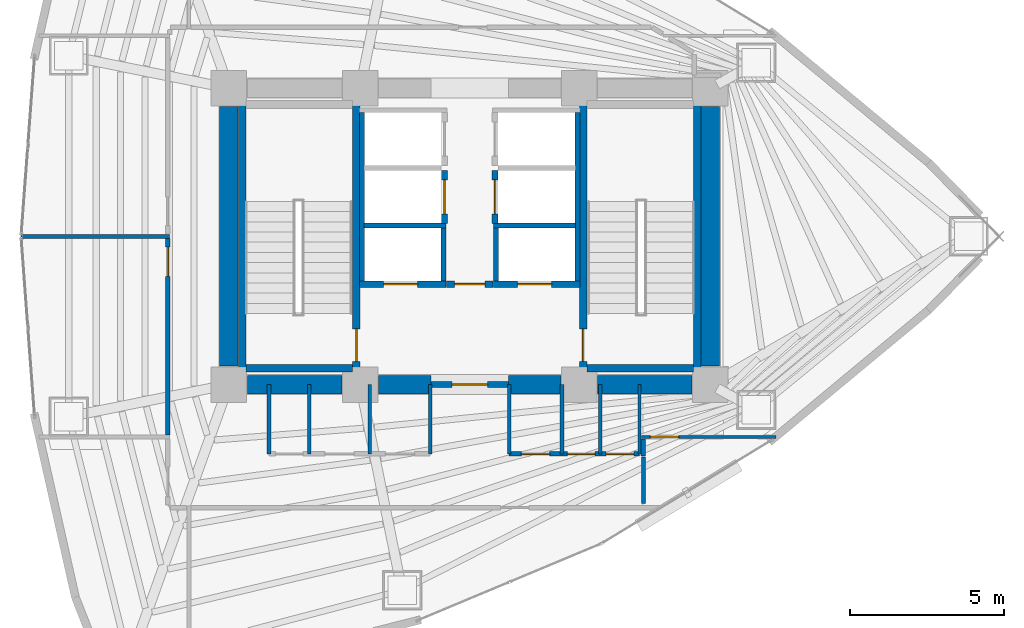
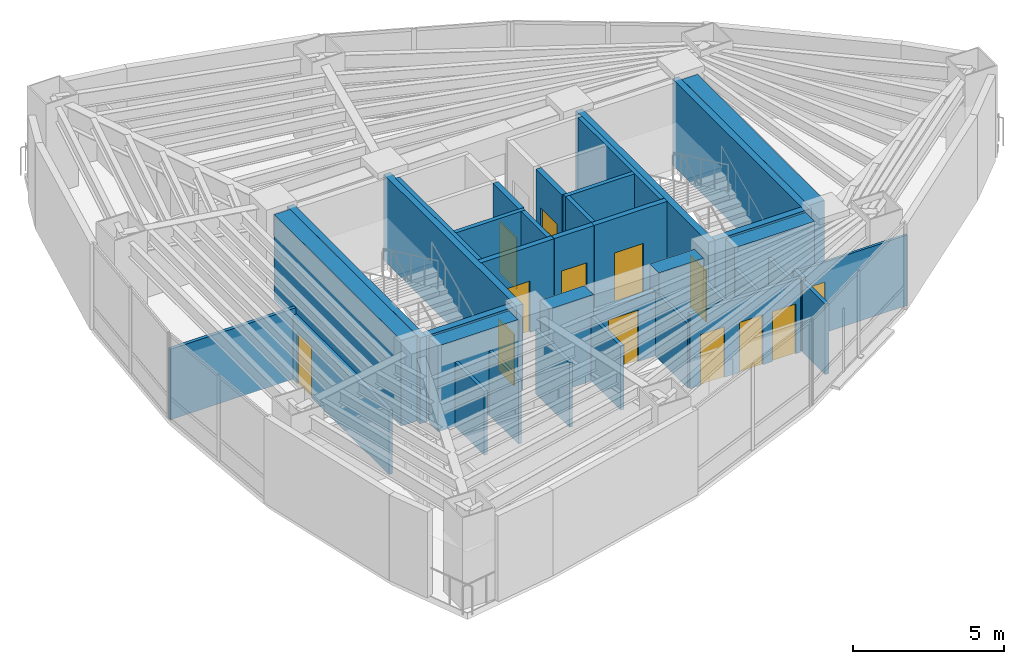
# One storey, part 13 of 16: 38 walls, 13 doors, 13 openings.
"""IFC4 building model written with IfcOpenShell, lengths in metres."""

import ifcopenshell
import ifcopenshell.guid

model = None  # the IFC model being written
_history = None  # IfcOwnerHistory: only IFC2X3 demands one
_inside = {}  # id of a spatial element -> (the spatial element, [elements in it])
_under = {}  # id of a project, library or spatial element -> (it, [spatial elements below it])
_declared = {}  # id of a project -> (the project, [libraries it declares])
_typed = {}  # id of a type object -> (the type object, [elements of that type])
_made_of = {}  # id of a material, layer set ... -> (it, [elements and type objects made of it])


def new_model(schema):
    """Start an empty IFC model of exactly this schema.

    Asked for "IFC4X3", IfcOpenShell would pick the latest addendum, in which some entities
    have other attributes; the version numbers below select the first issue.
    IFC2X3 requires an IfcOwnerHistory on every rooted entity: one is made here for all.
    """
    global model, _history
    if schema == "IFC4X3":
        model = ifcopenshell.file(schema_version=(4, 3, 0, 0))
    else:
        model = ifcopenshell.file(schema=schema)
    _inside.clear()
    _under.clear()
    _declared.clear()
    _typed.clear()
    _made_of.clear()
    _history = None
    if model.schema == "IFC2X3":
        org = make("IfcOrganization", Name="unknown")
        user = make(
            "IfcPersonAndOrganization",
            ThePerson=make("IfcPerson", FamilyName="unknown"),
            TheOrganization=org,
        )
        app = make(
            "IfcApplication",
            ApplicationDeveloper=org,
            Version="unknown",
            ApplicationFullName="unknown",
            ApplicationIdentifier="unknown",
        )
        _history = make(
            "IfcOwnerHistory",
            OwningUser=user,
            OwningApplication=app,
            ChangeAction="ADDED",
            CreationDate=0,
        )
    return model


def make(cls, **values):
    """One entity of the class cls with the attributes given. An attribute that is None is left unset."""
    return model.create_entity(
        cls, **{name: value for name, value in values.items() if value is not None}
    )


def rooted(cls, **values):
    """An entity with a GlobalId (a new one), such as an element, a storey or a relation."""
    return make(cls, GlobalId=ifcopenshell.guid.new(), OwnerHistory=_history, **values)


def si_unit(unit_type, name, prefix=None):
    """IfcSIUnit, for example si_unit("LENGTHUNIT", "METRE", prefix="MILLI")."""
    return make("IfcSIUnit", UnitType=unit_type, Prefix=prefix, Name=name)


def assignment(units):
    """IfcUnitAssignment: the units of a project."""
    return None if units is None else make("IfcUnitAssignment", Units=units)


def point(xyz):
    """IfcCartesianPoint."""
    return None if xyz is None else make("IfcCartesianPoint", Coordinates=xyz)


def direction(xyz):
    """IfcDirection."""
    return None if xyz is None else make("IfcDirection", DirectionRatios=xyz)


def frame(location, z_axis=None, x_axis=None):
    """IfcAxis2Placement3D, a coordinate frame: its origin and axes. An axis left out is left unset."""
    return make(
        "IfcAxis2Placement3D",
        Location=point(location),
        Axis=direction(z_axis),
        RefDirection=direction(x_axis),
    )


def frame_2d(location, x_axis=None):
    """IfcAxis2Placement2D, a coordinate frame in the plane: its origin and x axis."""
    return make(
        "IfcAxis2Placement2D", Location=point(location), RefDirection=direction(x_axis)
    )


def origin():
    """The frame at (0, 0, 0) with its axes left unset."""
    return frame((0.0, 0.0, 0.0))


def place(relative_to, where):
    """IfcLocalPlacement: puts the frame where relative to a parent placement (None: the world)."""
    return make(
        "IfcLocalPlacement", PlacementRelTo=relative_to, RelativePlacement=where
    )


def context(
    kind, dimensions, precision=None, world=None, true_north=None, identifier=None
):
    """IfcGeometricRepresentationContext, for example the 3D "Model" context."""
    return make(
        "IfcGeometricRepresentationContext",
        ContextIdentifier=identifier,
        ContextType=kind,
        CoordinateSpaceDimension=dimensions,
        Precision=precision,
        WorldCoordinateSystem=world,
        TrueNorth=true_north,
    )


def subcontext(parent, identifier, kind, view, scale=None):
    """IfcGeometricRepresentationSubContext, for example "Body" below "Model"."""
    return make(
        "IfcGeometricRepresentationSubContext",
        ContextIdentifier=identifier,
        ContextType=kind,
        ParentContext=parent,
        TargetScale=scale,
        TargetView=view,
    )


def project(units=None, contexts=None):
    """IfcProject with its units and contexts."""
    return rooted(
        "IfcProject",
        Name="project",
        RepresentationContexts=contexts,
        UnitsInContext=assignment(units),
    )


def spatial(cls, under=None, at=None, **own):
    """A site, building, storey or space (cls), placed at a placement, below another one or the project."""
    s = rooted(cls, ObjectPlacement=at, **own)
    if under is not None:
        _under.setdefault(under.id(), (under, []))[1].append(s)
    return s


def profile(cls, at=None, kind="AREA", **sizes):
    """A parametric profile (cls). Its sizes go by their IFC names, for example OverallWidth=200.0."""
    return make(cls, ProfileType=kind, Position=at, **sizes)


def rectangle(**sizes):
    """IfcRectangleProfileDef."""
    return profile("IfcRectangleProfileDef", **sizes)


def extrude(swept, where, along, depth):
    """IfcExtrudedAreaSolid: the profile swept, set in the frame where, extruded along a direction by depth."""
    return make(
        "IfcExtrudedAreaSolid",
        SweptArea=swept,
        Position=where,
        ExtrudedDirection=direction(along),
        Depth=depth,
    )


def shape(context_of_items, identifier, shape_type, items):
    """IfcShapeRepresentation: the items that make up one representation, for example the "Body"."""
    return make(
        "IfcShapeRepresentation",
        ContextOfItems=context_of_items,
        RepresentationIdentifier=identifier,
        RepresentationType=shape_type,
        Items=items,
    )


def material(Name=None, Category=None):
    """IfcMaterial."""
    return make("IfcMaterial", Name=Name, Category=Category)


def layer(
    of_material, thickness, ventilated=None, Name=None, Category=None, Priority=None
):
    """IfcMaterialLayer: one layer of a wall or slab, of a material (None: an air gap)."""
    return make(
        "IfcMaterialLayer",
        Material=of_material,
        LayerThickness=thickness,
        IsVentilated=ventilated,
        Name=Name,
        Category=Category,
        Priority=Priority,
    )


def layer_set(layers, Name=None):
    """IfcMaterialLayerSet."""
    return make("IfcMaterialLayerSet", MaterialLayers=layers, LayerSetName=Name)


def made_of(thing, what):
    """Note that an element or type object is made of a material, layer set ...; save() writes the relation."""
    if what is not None:
        _made_of.setdefault(what.id(), (what, []))[1].append(thing)
    return thing


def type_object(cls, material=None, **own):
    """A type object (cls), such as IfcWallType, which elements share."""
    return made_of(rooted(cls, **own), material)


def element(
    cls,
    number,
    at=None,
    inside=None,
    cuts=None,
    type_object=None,
    material=None,
    context=None,
    identifier="Body",
    shape_type=None,
    held_by="IfcProductDefinitionShape",
    body=None,
    shapes=None,
    **own,
):
    """One element of the class cls, such as IfcWall. Its Tag is "e" and its number.

    at: its placement. inside: the storey or other place that contains it. cuts: it is an
    opening in that element (IfcRelVoidsElement). A single representation is given by context,
    identifier, shape_type and body (its items); several are given by shapes. held_by: the class
    of the entity that holds the representations. save() writes the other relations.
    """
    e = rooted(cls, Tag="e%d" % number, ObjectPlacement=at, **own)
    if body is not None:
        shapes = [shape(context, identifier, shape_type, body)]
    if shapes is not None:
        e.Representation = make(held_by, Representations=shapes)
    if inside is not None:
        _inside.setdefault(inside.id(), (inside, []))[1].append(e)
    if cuts is not None:
        rooted(
            "IfcRelVoidsElement", RelatingBuildingElement=cuts, RelatedOpeningElement=e
        )
    if type_object is not None:
        _typed.setdefault(type_object.id(), (type_object, []))[1].append(e)
    return made_of(e, material)


def fill(opening, filler):
    """IfcRelFillsElement: the door or window that sits in an opening."""
    return rooted(
        "IfcRelFillsElement",
        RelatingOpeningElement=opening,
        RelatedBuildingElement=filler,
    )


def aggregate(whole, parts):
    """IfcRelAggregates: a whole, such as a stair, and the parts it consists of."""
    return rooted("IfcRelAggregates", RelatingObject=whole, RelatedObjects=parts)


def save(model, path):
    """Write the relations noted so far, then the file.

    IfcRelAggregates (storeys below a building ...), IfcRelContainedInSpatialStructure (elements
    in a storey), IfcRelDefinesByType, IfcRelAssociatesMaterial and IfcRelDeclares: one each for
    every whole, place, type object, material and project.
    """
    for whole, parts in _under.values():
        aggregate(whole, parts)
    for where, things in _inside.values():
        rooted(
            "IfcRelContainedInSpatialStructure",
            RelatedElements=things,
            RelatingStructure=where,
        )
    for kind, things in _typed.values():
        rooted("IfcRelDefinesByType", RelatedObjects=things, RelatingType=kind)
    for what, things in _made_of.values():
        rooted("IfcRelAssociatesMaterial", RelatedObjects=things, RelatingMaterial=what)
    for by, libraries in _declared.values():
        rooted("IfcRelDeclares", RelatingContext=by, RelatedDefinitions=libraries)
    model.write(path)


model = new_model("IFC4")

# Units and contexts
model_context = context("Model", 3, precision=1e-05, world=origin(), true_north=direction((0.0, 1.0)))
body_context = subcontext(model_context, "Body", "Model", "MODEL_VIEW")
ifc_project = project(units=[si_unit("LENGTHUNIT", "METRE"), si_unit("AREAUNIT", "SQUARE_METRE"), si_unit("VOLUMEUNIT", "CUBIC_METRE"), si_unit("PLANEANGLEUNIT", "RADIAN"), si_unit("MASSUNIT", "GRAM", prefix="KILO")], contexts=[model_context])

# Site, building, storey
site_placement = place(None, origin())
site = spatial("IfcSite", under=ifc_project, at=site_placement, CompositionType="ELEMENT")
building_placement = place(site_placement, origin())
building = spatial("IfcBuilding", under=site, at=building_placement, Name="Menara Vayukalpa", CompositionType="ELEMENT")
storey_placement = place(building_placement, frame((0.0, 0.0, 72.239990234375)))
storey = spatial("IfcBuildingStorey", under=building, at=storey_placement, Name="L17", CompositionType="ELEMENT", Elevation=72.239990234375)

# Walls
ifc_material_1 = material(Name="Concrete C70/85", Category="concrete")
ifc_layer_1 = layer(ifc_material_1, 0.60009765625)
ifc_layer_set_1 = layer_set([ifc_layer_1], Name="Concrete C70/85")
wall_type_1 = type_object("IfcWallType", Name="WAL-CW600", PredefinedType="SHEAR", material=ifc_layer_set_1)
wall_1_placement = place(storey_placement, frame((18.39501953125, 17.199951171875, 0.0), z_axis=(0.0, 0.0, 1.0), x_axis=(1.0, 0.0, 0.0)))
element("IfcWall", 1, at=wall_1_placement, inside=storey, type_object=wall_type_1, Name="L17 Buttressed Core Shear Wall CWS1", PredefinedType="SHEAR", context=body_context, shape_type="SweptSolid", body=[
    extrude(rectangle(XDim=3.06005859375, YDim=0.60009765625, at=frame_2d((1.530029296875, 0.0))), origin(), (0.0, 0.0, 1.0), 3.469970703125),
])
wall_2_placement = place(storey_placement, frame((22.64501953125, 17.199951171875, 0.0), z_axis=(0.0, 0.0, 1.0), x_axis=(1.0, 0.0, 0.0)))
element("IfcWall", 2, at=wall_2_placement, inside=storey, type_object=wall_type_1, Name="L17 Buttressed Core Shear Wall CWS2", PredefinedType="SHEAR", context=body_context, shape_type="SweptSolid", body=[
    extrude(rectangle(XDim=1.705078125, YDim=0.60009765625, at=frame_2d((0.8525390625, 0.0))), origin(), (0.0, 0.0, 1.0), 3.469970703125),
])
wall_3_placement = place(storey_placement, frame((26.85009765625, 17.199951171875, 0.0), z_axis=(0.0, 0.0, 1.0), x_axis=(1.0, 0.0, 0.0)))
element("IfcWall", 3, at=wall_3_placement, inside=storey, type_object=wall_type_1, Name="L17 Buttressed Core Shear Wall CWS3", PredefinedType="SHEAR", context=body_context, shape_type="SweptSolid", body=[
    extrude(rectangle(XDim=1.704833984375, YDim=0.60009765625, at=frame_2d((0.8525390625, 0.0))), origin(), (0.0, 0.0, 1.0), 3.469970703125),
])
wall_4_placement = place(storey_placement, frame((29.7451171875, 17.199951171875, 0.0), z_axis=(0.0, 0.0, 1.0), x_axis=(1.0, 0.0, 0.0)))
element("IfcWall", 4, at=wall_4_placement, inside=storey, type_object=wall_type_1, Name="L17 Buttressed Core Shear Wall CWS4", PredefinedType="SHEAR", context=body_context, shape_type="SweptSolid", body=[
    extrude(rectangle(XDim=3.059814453125, YDim=0.60009765625, at=frame_2d((1.52978515625, 0.0))), origin(), (0.0, 0.0, 1.0), 3.469970703125),
])
for number, where, z_axis, x_axis, name in (
    (5, (17.800048828125, 17.794921875, 0.0), (0.0, 0.0, 1.0), (0.0, 1.0, 0.0), "L17 Buttressed Core Shear Wall CWW1"),
    (6, (33.39990234375, 17.794921875, 0.0), (0.0, 0.0, 1.0), (0.0, 1.0, 0.0), "L17 Buttressed Core Shear Wall CWE1"),
):
    element("IfcWall", number, at=place(storey_placement, frame(where, z_axis=z_axis, x_axis=x_axis)), inside=storey, type_object=wall_type_1, Name=name, PredefinedType="SHEAR", context=body_context, shape_type="SweptSolid", body=[
        extrude(rectangle(XDim=8.41015625, YDim=0.60009765625, at=frame_2d((4.205078125, 0.0))), origin(), (0.0, 0.0, 1.0), 3.469970703125),
    ])
ifc_material_2 = material(Name="Lightweight Concrete Blockwork C16/20", Category="masonry")
ifc_layer_2 = layer(ifc_material_2, 0.159912109375)
ifc_layer_set_2 = layer_set([ifc_layer_2], Name="Lightweight Concrete Blockwork C16/20")
wall_type_2 = type_object("IfcWallType", Name="WAL-FR150", PredefinedType="PARTITIONING", material=ifc_layer_set_2)
wall_5_placement = place(storey_placement, frame((22.10498046875, 20.56005859375, 0.0), z_axis=(0.0, 0.0, 1.0), x_axis=(0.0, 1.0, 0.0)))
element("IfcWall", 7, at=wall_5_placement, inside=storey, type_object=wall_type_2, Name="L17 Interior Partition IW-L17-SHW-WW", PredefinedType="PARTITIONING", context=body_context, shape_type="SweptSolid", body=[
    extrude(rectangle(XDim=5.449951171875, YDim=0.159912109375, at=frame_2d((2.72509765625, 0.0))), origin(), (0.0, 0.0, 1.0), 3.469970703125),
])
wall_6_placement = place(storey_placement, frame((24.7548828125, 20.56005859375, 0.0), z_axis=(0.0, 0.0, 1.0), x_axis=(0.0, 1.0, 0.0)))
element("IfcWall", 8, at=wall_6_placement, inside=storey, type_object=wall_type_2, Name="L17 Interior Partition IW-L17-SHW-W1E", PredefinedType="PARTITIONING", context=body_context, shape_type="SweptSolid", body=[
    extrude(rectangle(XDim=1.7099609375, YDim=0.159912109375, at=frame_2d((0.85498046875, 0.0))), origin(), (0.0, 0.0, 1.0), 3.469970703125),
])
wall_7_placement = place(storey_placement, frame((22.179931640625, 22.344970703125, 0.0), z_axis=(0.0, 0.0, 1.0), x_axis=(1.0, 0.0, 0.0)))
element("IfcWall", 9, at=wall_7_placement, inside=storey, type_object=wall_type_2, Name="L17 Interior Partition IW-L17-SHM-W12", PredefinedType="PARTITIONING", context=body_context, shape_type="SweptSolid", body=[
    extrude(rectangle(XDim=2.650146484375, YDim=0.159912109375, at=frame_2d((1.3251953125, 0.0))), origin(), (0.0, 0.0, 1.0), 3.469970703125),
])
wall_8_placement = place(storey_placement, frame((29.094970703125, 20.56005859375, 0.0), z_axis=(0.0, 0.0, 1.0), x_axis=(0.0, 1.0, 0.0)))
element("IfcWall", 10, at=wall_8_placement, inside=storey, type_object=wall_type_2, Name="L17 Interior Partition IW-L17-SHW-EE", PredefinedType="PARTITIONING", context=body_context, shape_type="SweptSolid", body=[
    extrude(rectangle(XDim=5.449951171875, YDim=0.159912109375, at=frame_2d((2.72509765625, 0.0))), origin(), (0.0, 0.0, 1.0), 3.469970703125),
])
wall_9_placement = place(storey_placement, frame((26.445068359375, 20.56005859375, 0.0), z_axis=(0.0, 0.0, 1.0), x_axis=(0.0, 1.0, 0.0)))
element("IfcWall", 11, at=wall_9_placement, inside=storey, type_object=wall_type_2, Name="L17 Interior Partition IW-L17-SHW-E1W", PredefinedType="PARTITIONING", context=body_context, shape_type="SweptSolid", body=[
    extrude(rectangle(XDim=1.7099609375, YDim=0.159912109375, at=frame_2d((0.85498046875, 0.0))), origin(), (0.0, 0.0, 1.0), 3.469970703125),
])
wall_10_placement = place(storey_placement, frame((26.3701171875, 22.344970703125, 0.0), z_axis=(0.0, 0.0, 1.0), x_axis=(1.0, 0.0, 0.0)))
element("IfcWall", 12, at=wall_10_placement, inside=storey, type_object=wall_type_2, Name="L17 Interior Partition IW-L17-SHM-E13", PredefinedType="PARTITIONING", context=body_context, shape_type="SweptSolid", body=[
    extrude(rectangle(XDim=2.64990234375, YDim=0.159912109375, at=frame_2d((1.324951171875, 0.0))), origin(), (0.0, 0.0, 1.0), 3.469970703125),
])

# Wall, opening, door
ifc_material_3 = material(Name="Lightweight Concrete Blockwork C16/20", Category="masonry")
ifc_layer_3 = layer(ifc_material_3, 0.199951171875)
ifc_layer_set_3 = layer_set([ifc_layer_3], Name="Lightweight Concrete Blockwork C16/20")
wall_type_3 = type_object("IfcWallType", Name="WAL-FR200", PredefinedType="PARTITIONING", material=ifc_layer_set_3)
wall_11_placement = place(storey_placement, frame((24.35009765625, 17.199951171875, 0.0), z_axis=(0.0, 0.0, 1.0), x_axis=(1.0, 0.0, 0.0)))
wall_11 = element("IfcWall", 13, at=wall_11_placement, inside=storey, type_object=wall_type_3, Name="L17 Interior Partition IW-L17-FFLS", PredefinedType="PARTITIONING", context=body_context, shape_type="SweptSolid", body=[
    extrude(rectangle(XDim=2.5, YDim=0.199951171875, at=frame_2d((1.25, 0.0))), origin(), (0.0, 0.0, 1.0), 2.60009765625),
])
opening_1_placement = place(wall_11_placement, frame((0.679931640625, 0.0, 0.0)))
opening_1 = element("IfcOpeningElement", 14, at=opening_1_placement, cuts=wall_11, Name="Opening ID2", PredefinedType="OPENING", context=body_context, shape_type="SweptSolid", body=[
    extrude(rectangle(XDim=1.14990234375, YDim=2.080078125, at=frame_2d((0.574951171875, 1.0400390625))), frame((0.0, 0.10986328125, 0.0), z_axis=(0.0, -1.0, 0.0), x_axis=(1.0, 0.0, 0.0)), (0.0, 0.0, 1.0), 0.219970703125),
])
ifc_material_4 = material(Name="Fire-Rated Powder-Coated Steel Door", Category="steel")
door_type_1 = type_object("IfcDoorType", Name="DR-FD60W", OperationType="NOTDEFINED", PredefinedType="DOOR", material=ifc_material_4)
door_1_placement = place(opening_1_placement, origin())
door_1 = element("IfcDoor", 15, at=door_1_placement, inside=storey, type_object=door_type_1, Name="L17 Interior Door DR-L17-FFLS", OperationType="SINGLE_SWING_LEFT", OverallHeight=2.080078125, OverallWidth=1.14990234375, PredefinedType="DOOR", context=body_context, shape_type="SweptSolid", body=[
    extrude(rectangle(XDim=1.14990234375, YDim=2.080078125, at=frame_2d((0.574951171875, 1.0400390625))), frame((0.0, 0.02490234375, 0.0), z_axis=(0.0, -1.0, 0.0), x_axis=(1.0, 0.0, 0.0)), (0.0, 0.0, 1.0), 0.050048828125),
])
fill(opening_1, door_1)

wall_12_placement = place(storey_placement, frame((24.840087890625, 20.449951171875, 0.0), z_axis=(0.0, 0.0, 1.0), x_axis=(1.0, 0.0, 0.0)))
wall_12 = element("IfcWall", 16, at=wall_12_placement, inside=storey, type_object=wall_type_3, Name="L17 Interior Partition IW-L17-FFLN", PredefinedType="PARTITIONING", context=body_context, shape_type="SweptSolid", body=[
    extrude(rectangle(XDim=1.52001953125, YDim=0.199951171875, at=frame_2d((0.760009765625, 0.0))), origin(), (0.0, 0.0, 1.0), 3.469970703125),
])
opening_2_placement = place(wall_12_placement, frame((0.27001953125, 0.0, 0.0)))
opening_2 = element("IfcOpeningElement", 17, at=opening_2_placement, cuts=wall_12, Name="Opening ID3", PredefinedType="OPENING", context=body_context, shape_type="SweptSolid", body=[
    extrude(rectangle(XDim=0.97998046875, YDim=2.06005859375, at=frame_2d((0.489990234375, 1.030029296875))), frame((0.0, 0.10986328125, 0.0), z_axis=(0.0, -1.0, 0.0), x_axis=(1.0, 0.0, 0.0)), (0.0, 0.0, 1.0), 0.219970703125),
])
ifc_material_5 = material(Name="Fire-Rated Powder-Coated Steel Door", Category="steel")
door_type_2 = type_object("IfcDoorType", Name="DR-FD60", OperationType="NOTDEFINED", PredefinedType="DOOR", material=ifc_material_5)
door_2_placement = place(opening_2_placement, origin())
door_2 = element("IfcDoor", 18, at=door_2_placement, inside=storey, type_object=door_type_2, Name="L17 Interior Door DR-L17-FFLN", OperationType="SINGLE_SWING_RIGHT", OverallHeight=2.06005859375, OverallWidth=0.97998046875, PredefinedType="DOOR", context=body_context, shape_type="SweptSolid", body=[
    extrude(rectangle(XDim=0.97998046875, YDim=2.06005859375, at=frame_2d((0.489990234375, 1.030029296875))), frame((0.0, 0.02490234375, 0.0), z_axis=(0.0, -1.0, 0.0), x_axis=(1.0, 0.0, 0.0)), (0.0, 0.0, 1.0), 0.050048828125),
])
fill(opening_2, door_2)

wall_13_placement = place(storey_placement, frame((22.030029296875, 20.449951171875, 0.0), z_axis=(0.0, 0.0, 1.0), x_axis=(1.0, 0.0, 0.0)))
wall_13 = element("IfcWall", 19, at=wall_13_placement, inside=storey, type_object=wall_type_3, Name="L17 Interior Partition IW-L17-SH-W1", PredefinedType="PARTITIONING", context=body_context, shape_type="SweptSolid", body=[
    extrude(rectangle(XDim=2.800048828125, YDim=0.199951171875, at=frame_2d((1.39990234375, 0.0))), origin(), (0.0, 0.0, 1.0), 3.469970703125),
])
opening_3_placement = place(wall_13_placement, frame((0.780029296875, 0.0, 0.0)))
opening_3 = element("IfcOpeningElement", 20, at=opening_3_placement, cuts=wall_13, Name="Opening LD1", PredefinedType="OPENING", context=body_context, shape_type="SweptSolid", body=[
    extrude(rectangle(XDim=1.10009765625, YDim=2.080078125, at=frame_2d((0.550048828125, 1.0400390625))), frame((0.0, 0.10986328125, 0.0), z_axis=(0.0, -1.0, 0.0), x_axis=(1.0, 0.0, 0.0)), (0.0, 0.0, 1.0), 0.219970703125),
])
ifc_material_6 = material(Name="Brushed Stainless Steel 316 Lift Door", Category="steel")
door_type_3 = type_object("IfcDoorType", Name="DR-LD110", OperationType="NOTDEFINED", PredefinedType="DOOR", material=ifc_material_6)
door_3_placement = place(opening_3_placement, origin())
door_3 = element("IfcDoor", 21, at=door_3_placement, inside=storey, type_object=door_type_3, Name="L17 Interior Door DR-L17-LD-W1", OperationType="DOUBLE_DOOR_SLIDING", OverallHeight=2.080078125, OverallWidth=1.10009765625, PredefinedType="DOOR", context=body_context, shape_type="SweptSolid", body=[
    extrude(rectangle(XDim=1.10009765625, YDim=2.080078125, at=frame_2d((0.550048828125, 1.0400390625))), frame((0.0, 0.02490234375, 0.0), z_axis=(0.0, -1.0, 0.0), x_axis=(1.0, 0.0, 0.0)), (0.0, 0.0, 1.0), 0.050048828125),
])
fill(opening_3, door_3)

wall_14_placement = place(storey_placement, frame((26.3701171875, 20.449951171875, 0.0), z_axis=(0.0, 0.0, 1.0), x_axis=(1.0, 0.0, 0.0)))
wall_14 = element("IfcWall", 22, at=wall_14_placement, inside=storey, type_object=wall_type_3, Name="L17 Interior Partition IW-L17-SH-E1", PredefinedType="PARTITIONING", context=body_context, shape_type="SweptSolid", body=[
    extrude(rectangle(XDim=2.7998046875, YDim=0.199951171875, at=frame_2d((1.39990234375, 0.0))), origin(), (0.0, 0.0, 1.0), 3.469970703125),
])
opening_4_placement = place(wall_14_placement, frame((0.780029296875, 0.0, 0.0)))
opening_4 = element("IfcOpeningElement", 23, at=opening_4_placement, cuts=wall_14, Name="Opening LD1", PredefinedType="OPENING", context=body_context, shape_type="SweptSolid", body=[
    extrude(rectangle(XDim=1.10009765625, YDim=2.080078125, at=frame_2d((0.550048828125, 1.0400390625))), frame((0.0, 0.10986328125, 0.0), z_axis=(0.0, -1.0, 0.0), x_axis=(1.0, 0.0, 0.0)), (0.0, 0.0, 1.0), 0.219970703125),
])
door_4_placement = place(opening_4_placement, origin())
door_4 = element("IfcDoor", 24, at=door_4_placement, inside=storey, type_object=door_type_3, Name="L17 Interior Door DR-L17-LD-E1", OperationType="DOUBLE_DOOR_SLIDING", OverallHeight=2.080078125, OverallWidth=1.10009765625, PredefinedType="DOOR", context=body_context, shape_type="SweptSolid", body=[
    extrude(rectangle(XDim=1.10009765625, YDim=2.080078125, at=frame_2d((0.550048828125, 1.0400390625))), frame((0.0, 0.02490234375, 0.0), z_axis=(0.0, -1.0, 0.0), x_axis=(1.0, 0.0, 0.0)), (0.0, 0.0, 1.0), 0.050048828125),
])
fill(opening_4, door_4)

wall_15_placement = place(storey_placement, frame((24.780029296875, 22.419921875, 0.0), z_axis=(0.0, 0.0, 1.0), x_axis=(0.0, 1.0, 0.0)))
wall_15 = element("IfcWall", 25, at=wall_15_placement, inside=storey, type_object=wall_type_3, Name="L17 Interior Partition IW-L17-SH-W2", PredefinedType="PARTITIONING", context=body_context, shape_type="SweptSolid", body=[
    extrude(rectangle(XDim=1.719970703125, YDim=0.199951171875, at=frame_2d((0.85986328125, 0.0))), origin(), (0.0, 0.0, 1.0), 3.469970703125),
])
opening_5_placement = place(wall_15_placement, frame((0.31005859375, 0.0, 0.0)))
opening_5 = element("IfcOpeningElement", 26, at=opening_5_placement, cuts=wall_15, Name="Opening LD1", PredefinedType="OPENING", context=body_context, shape_type="SweptSolid", body=[
    extrude(rectangle(XDim=1.10009765625, YDim=2.080078125, at=frame_2d((0.550048828125, 1.0400390625))), frame((0.0, 0.10986328125, 0.0), z_axis=(0.0, -1.0, 0.0), x_axis=(1.0, 0.0, 0.0)), (0.0, 0.0, 1.0), 0.219970703125),
])
door_5_placement = place(opening_5_placement, origin())
door_5 = element("IfcDoor", 27, at=door_5_placement, inside=storey, type_object=door_type_3, Name="L17 Interior Door DR-L17-LD-W2", OperationType="DOUBLE_DOOR_SLIDING", OverallHeight=2.080078125, OverallWidth=1.10009765625, PredefinedType="DOOR", context=body_context, shape_type="SweptSolid", body=[
    extrude(rectangle(XDim=1.10009765625, YDim=2.080078125, at=frame_2d((0.550048828125, 1.0400390625))), frame((0.0, 0.02490234375, 0.0), z_axis=(0.0, -1.0, 0.0), x_axis=(1.0, 0.0, 0.0)), (0.0, 0.0, 1.0), 0.050048828125),
])
fill(opening_5, door_5)

wall_16_placement = place(storey_placement, frame((26.419921875, 22.419921875, 0.0), z_axis=(0.0, 0.0, 1.0), x_axis=(0.0, 1.0, 0.0)))
wall_16 = element("IfcWall", 28, at=wall_16_placement, inside=storey, type_object=wall_type_3, Name="L17 Interior Partition IW-L17-SH-E3", PredefinedType="PARTITIONING", context=body_context, shape_type="SweptSolid", body=[
    extrude(rectangle(XDim=1.719970703125, YDim=0.199951171875, at=frame_2d((0.85986328125, 0.0))), origin(), (0.0, 0.0, 1.0), 3.469970703125),
])
opening_6_placement = place(wall_16_placement, frame((0.31005859375, 0.0, 0.0)))
opening_6 = element("IfcOpeningElement", 29, at=opening_6_placement, cuts=wall_16, Name="Opening LD1", PredefinedType="OPENING", context=body_context, shape_type="SweptSolid", body=[
    extrude(rectangle(XDim=1.10009765625, YDim=2.080078125, at=frame_2d((0.550048828125, 1.0400390625))), frame((0.0, 0.10986328125, 0.0), z_axis=(0.0, -1.0, 0.0), x_axis=(1.0, 0.0, 0.0)), (0.0, 0.0, 1.0), 0.219970703125),
])
door_6_placement = place(opening_6_placement, origin())
door_6 = element("IfcDoor", 30, at=door_6_placement, inside=storey, type_object=door_type_3, Name="L17 Interior Door DR-L17-LD-E3", OperationType="DOUBLE_DOOR_SLIDING", OverallHeight=2.080078125, OverallWidth=1.10009765625, PredefinedType="DOOR", context=body_context, shape_type="SweptSolid", body=[
    extrude(rectangle(XDim=1.10009765625, YDim=2.080078125, at=frame_2d((0.550048828125, 1.0400390625))), frame((0.0, 0.02490234375, 0.0), z_axis=(0.0, -1.0, 0.0), x_axis=(1.0, 0.0, 0.0)), (0.0, 0.0, 1.0), 0.050048828125),
])
fill(opening_6, door_6)

ifc_material_7 = material(Name="Glazed Demountable Office Partition", Category="glass")
ifc_layer_4 = layer(ifc_material_7, 0.094970703125)
ifc_layer_set_4 = layer_set([ifc_layer_4], Name="Glazed Demountable Office Partition")
wall_type_4 = type_object("IfcWallType", Name="WAL-PT100", PredefinedType="PARTITIONING", material=ifc_layer_set_4)
wall_17_placement = place(storey_placement, frame((31.169921875, 15.5, 0.0), z_axis=(0.0, 0.0, 1.0), x_axis=(1.0, 0.0, 0.0)))
wall_17 = element("IfcWall", 31, at=wall_17_placement, inside=storey, type_object=wall_type_4, Name="L17 Interior Partition IW-L17-RDIV04", PredefinedType="PARTITIONING", context=body_context, shape_type="SweptSolid", body=[
    extrude(rectangle(XDim=4.3544921875, YDim=0.094970703125, at=frame_2d((2.17724609375, 0.0))), origin(), (0.0, 0.0, 1.0), 2.85009765625),
])
opening_7_placement = place(wall_17_placement, frame((0.280029296875, 0.0, 0.0)))
opening_7 = element("IfcOpeningElement", 32, at=opening_7_placement, cuts=wall_17, Name="Opening ID6", PredefinedType="OPENING", context=body_context, shape_type="SweptSolid", body=[
    extrude(rectangle(XDim=0.919921875, YDim=2.050048828125, at=frame_2d((0.4599609375, 1.02490234375))), frame((0.0, 0.057373046875, 0.0), z_axis=(0.0, -1.0, 0.0), x_axis=(1.0, 0.0, 0.0)), (0.0, 0.0, 1.0), 0.114990234375),
])
ifc_material_8 = material(Name="Acoustic Hardwood Veneer Timber Door", Category="wood")
door_type_4 = type_object("IfcDoorType", Name="DR-INT92", OperationType="NOTDEFINED", PredefinedType="DOOR", material=ifc_material_8)
door_7_placement = place(opening_7_placement, origin())
door_7 = element("IfcDoor", 33, at=door_7_placement, inside=storey, type_object=door_type_4, Name="L17 Interior Door DR-L17-STE05", OperationType="SINGLE_SWING_LEFT", OverallHeight=2.050048828125, OverallWidth=0.919921875, PredefinedType="DOOR", context=body_context, shape_type="SweptSolid", body=[
    extrude(rectangle(XDim=0.919921875, YDim=2.050048828125, at=frame_2d((0.4599609375, 1.02490234375))), frame((0.0, 0.02490234375, 0.0), z_axis=(0.0, -1.0, 0.0), x_axis=(1.0, 0.0, 0.0)), (0.0, 0.0, 1.0), 0.050048828125),
])
fill(opening_7, door_7)

# Walls
ifc_material_9 = material(Name="Acoustic Mineral Stud Partition", Category="masonry")
ifc_layer_5 = layer(ifc_material_9, 0.110107421875)
ifc_layer_set_5 = layer_set([ifc_layer_5], Name="Acoustic Mineral Stud Partition")
wall_type_5 = type_object("IfcWallType", Name="WAL-PT110", PredefinedType="PARTITIONING", material=ifc_layer_set_5)
for number, where, z_axis, x_axis, name in (
    (34, (20.39990234375, 14.949951171875, 0.0), (0.0, 0.0, 1.0), (0.0, 1.0, 0.0), "L17 Interior Partition IW-L17-SVCD-02"),
    (35, (26.8798828125, 14.949951171875, 0.0), (0.0, 0.0, 1.0), (0.0, 1.0, 0.0), "L17 Interior Partition IW-L17-SVCD-05"),
    (36, (31.10009765625, 14.949951171875, 0.0), (0.0, 0.0, 1.0), (0.0, 1.0, 0.0), "L17 Interior Partition IW-L17-SVCD-08"),
):
    element("IfcWall", number, at=place(storey_placement, frame(where, z_axis=z_axis, x_axis=x_axis)), inside=storey, type_object=wall_type_5, Name=name, PredefinedType="PARTITIONING", context=body_context, shape_type="SweptSolid", body=[
        extrude(rectangle(XDim=2.25, YDim=0.110107421875, at=frame_2d((1.125, 0.0))), origin(), (0.0, 0.0, 1.0), 2.60009765625),
    ])
ifc_material_10 = material(Name="Gypsum Drywall Steel Stud Assembly", Category="steel")
ifc_layer_6 = layer(ifc_material_10, 0.125)
ifc_layer_set_6 = layer_set([ifc_layer_6], Name="Gypsum Drywall Steel Stud Assembly")
wall_type_6 = type_object("IfcWallType", Name="WAL-PT125", PredefinedType="PARTITIONING", material=ifc_layer_set_6)
for number, where, z_axis, x_axis, name in (
    (37, (19.10009765625, 14.949951171875, 0.0), (0.0, 0.0, 1.0), (0.0, 1.0, 0.0), "L17 Interior Partition IW-L17-SVCD-01"),
    (38, (22.360107421875, 14.949951171875, 0.0), (0.0, 0.0, 1.0), (0.0, 1.0, 0.0), "L17 Interior Partition IW-L17-SVCD-03"),
    (39, (24.320068359375, 14.949951171875, 0.0), (0.0, 0.0, 1.0), (0.0, 1.0, 0.0), "L17 Interior Partition IW-L17-SVCD-04"),
    (40, (28.590087890625, 14.949951171875, 0.0), (0.0, 0.0, 1.0), (0.0, 1.0, 0.0), "L17 Interior Partition IW-L17-SVCD-06"),
    (41, (29.830078125, 14.949951171875, 0.0), (0.0, 0.0, 1.0), (0.0, 1.0, 0.0), "L17 Interior Partition IW-L17-SVCD-07"),
):
    element("IfcWall", number, at=place(storey_placement, frame(where, z_axis=z_axis, x_axis=x_axis)), inside=storey, type_object=wall_type_6, Name=name, PredefinedType="PARTITIONING", context=body_context, shape_type="SweptSolid", body=[
        extrude(rectangle(XDim=2.25, YDim=0.125, at=frame_2d((1.125, 0.0))), origin(), (0.0, 0.0, 1.0), 2.60009765625),
    ])
wall_18_placement = place(storey_placement, frame((11.05810546875, 22.0, 0.0), z_axis=(0.0, 0.0, 1.0), x_axis=(1.0, 0.0, 0.0)))
element("IfcWall", 42, at=wall_18_placement, inside=storey, type_object=wall_type_6, Name="L17 Interior Partition IW-L17-RDIV07", PredefinedType="PARTITIONING", context=body_context, shape_type="SweptSolid", body=[
    extrude(rectangle(XDim=4.81201171875, YDim=0.125, at=frame_2d((2.406005859375, 0.0))), origin(), (0.0, 0.0, 1.0), 2.85009765625),
])

# Wall, openings, doors
ifc_material_11 = material(Name="Gypsum Drywall Acoustic Stud Assembly", Category="masonry")
ifc_layer_7 = layer(ifc_material_11, 0.14501953125)
ifc_layer_set_7 = layer_set([ifc_layer_7], Name="Gypsum Drywall Acoustic Stud Assembly")
wall_type_7 = type_object("IfcWallType", Name="WAL-PT150", PredefinedType="PARTITIONING", material=ifc_layer_set_7)
wall_19_placement = place(storey_placement, frame((26.8798828125, 14.949951171875, 0.0), z_axis=(0.0, 0.0, 1.0), x_axis=(1.0, 0.0, 0.0)))
wall_19 = element("IfcWall", 43, at=wall_19_placement, inside=storey, type_object=wall_type_7, Name="L17 Interior Partition IW-L17-SVCS-E", PredefinedType="PARTITIONING", context=body_context, shape_type="SweptSolid", body=[
    extrude(rectangle(XDim=4.22021484375, YDim=0.14501953125, at=frame_2d((2.110107421875, 0.0))), origin(), (0.0, 0.0, 1.0), 3.0),
])
opening_8_placement = place(wall_19_placement, frame((0.389892578125, 0.0, 0.0)))
opening_8 = element("IfcOpeningElement", 44, at=opening_8_placement, cuts=wall_19, Name="Opening ID6", PredefinedType="OPENING", context=body_context, shape_type="SweptSolid", body=[
    extrude(rectangle(XDim=0.919921875, YDim=2.050048828125, at=frame_2d((0.4599609375, 1.02490234375))), frame((0.0, 0.08251953125, 0.0), z_axis=(0.0, -1.0, 0.0), x_axis=(1.0, 0.0, 0.0)), (0.0, 0.0, 1.0), 0.1650390625),
])
opening_9_placement = place(wall_19_placement, frame((1.8798828125, 0.0, 0.0)))
opening_9 = element("IfcOpeningElement", 45, at=opening_9_placement, cuts=wall_19, Name="Opening ID7", PredefinedType="OPENING", context=body_context, shape_type="SweptSolid", body=[
    extrude(rectangle(XDim=0.89990234375, YDim=2.02001953125, at=frame_2d((0.449951171875, 1.010009765625))), frame((0.0, 0.08251953125, 0.0), z_axis=(0.0, -1.0, 0.0), x_axis=(1.0, 0.0, 0.0)), (0.0, 0.0, 1.0), 0.1650390625),
])
opening_10_placement = place(wall_19_placement, frame((3.139892578125, 0.0, 0.0)))
opening_10 = element("IfcOpeningElement", 46, at=opening_10_placement, cuts=wall_19, Name="Opening ID7", PredefinedType="OPENING", context=body_context, shape_type="SweptSolid", body=[
    extrude(rectangle(XDim=0.89990234375, YDim=2.02001953125, at=frame_2d((0.449951171875, 1.010009765625))), frame((0.0, 0.08251953125, 0.0), z_axis=(0.0, -1.0, 0.0), x_axis=(1.0, 0.0, 0.0)), (0.0, 0.0, 1.0), 0.1650390625),
])
door_8_placement = place(opening_8_placement, origin())
door_8 = element("IfcDoor", 47, at=door_8_placement, inside=storey, type_object=door_type_4, Name="L17 Interior Door DR-L17-KSV1", OperationType="SINGLE_SWING_RIGHT", OverallHeight=2.050048828125, OverallWidth=0.919921875, PredefinedType="DOOR", context=body_context, shape_type="SweptSolid", body=[
    extrude(rectangle(XDim=0.919921875, YDim=2.050048828125, at=frame_2d((0.4599609375, 1.02490234375))), frame((0.0, 0.02490234375, 0.0), z_axis=(0.0, -1.0, 0.0), x_axis=(1.0, 0.0, 0.0)), (0.0, 0.0, 1.0), 0.050048828125),
])
fill(opening_8, door_8)
ifc_material_12 = material(Name="Powder-Coated Steel Riser Access Door", Category="steel")
door_type_5 = type_object("IfcDoorType", Name="DR-RISER", OperationType="NOTDEFINED", PredefinedType="DOOR", material=ifc_material_12)
door_9_placement = place(opening_9_placement, origin())
door_9 = element("IfcDoor", 48, at=door_9_placement, inside=storey, type_object=door_type_5, Name="L17 Interior Door DR-L17-KSV2", OperationType="SINGLE_SWING_LEFT", OverallHeight=2.02001953125, OverallWidth=0.89990234375, PredefinedType="DOOR", context=body_context, shape_type="SweptSolid", body=[
    extrude(rectangle(XDim=0.89990234375, YDim=2.02001953125, at=frame_2d((0.449951171875, 1.010009765625))), frame((0.0, 0.02490234375, 0.0), z_axis=(0.0, -1.0, 0.0), x_axis=(1.0, 0.0, 0.0)), (0.0, 0.0, 1.0), 0.050048828125),
])
fill(opening_9, door_9)
door_10_placement = place(opening_10_placement, origin())
door_10 = element("IfcDoor", 49, at=door_10_placement, inside=storey, type_object=door_type_5, Name="L17 Interior Door DR-L17-SMD", OperationType="SINGLE_SWING_RIGHT", OverallHeight=2.02001953125, OverallWidth=0.89990234375, PredefinedType="DOOR", context=body_context, shape_type="SweptSolid", body=[
    extrude(rectangle(XDim=0.89990234375, YDim=2.02001953125, at=frame_2d((0.449951171875, 1.010009765625))), frame((0.0, 0.02490234375, 0.0), z_axis=(0.0, -1.0, 0.0), x_axis=(1.0, 0.0, 0.0)), (0.0, 0.0, 1.0), 0.050048828125),
])
fill(opening_10, door_10)

# Wall, opening, door
wall_20_placement = place(storey_placement, frame((15.820068359375, 21.929931640625, 0.0), z_axis=(0.0, 0.0, 1.0), x_axis=(0.0, -1.0, 0.0)))
wall_20 = element("IfcWall", 50, at=wall_20_placement, inside=storey, type_object=wall_type_7, Name="L17 Interior Partition IW-L17-CRM01-1", PredefinedType="PARTITIONING", context=body_context, shape_type="SweptSolid", body=[
    extrude(rectangle(XDim=6.35986328125, YDim=0.14501953125, at=frame_2d((3.179931640625, 0.0))), origin(), (0.0, 0.0, 1.0), 2.60009765625),
])
opening_11_placement = place(wall_20_placement, frame((0.280029296875, 0.0, 0.0)))
opening_11 = element("IfcOpeningElement", 51, at=opening_11_placement, cuts=wall_20, Name="Opening ID5", PredefinedType="OPENING", context=body_context, shape_type="SweptSolid", body=[
    extrude(rectangle(XDim=0.949951171875, YDim=2.06005859375, at=frame_2d((0.47509765625, 1.030029296875))), frame((0.0, 0.08251953125, 0.0), z_axis=(0.0, -1.0, 0.0), x_axis=(1.0, 0.0, 0.0)), (0.0, 0.0, 1.0), 0.1650390625),
])
ifc_material_13 = material(Name="Acoustic Hardwood Veneer Timber Door", Category="wood")
door_type_6 = type_object("IfcDoorType", Name="DR-INT95", OperationType="NOTDEFINED", PredefinedType="DOOR", material=ifc_material_13)
door_11_placement = place(opening_11_placement, origin())
door_11 = element("IfcDoor", 52, at=door_11_placement, inside=storey, type_object=door_type_6, Name="L17 Interior Door DR-L17-RM01", OperationType="SINGLE_SWING_LEFT", OverallHeight=2.06005859375, OverallWidth=0.949951171875, PredefinedType="DOOR", context=body_context, shape_type="SweptSolid", body=[
    extrude(rectangle(XDim=0.949951171875, YDim=2.06005859375, at=frame_2d((0.47509765625, 1.030029296875))), frame((0.0, 0.02490234375, 0.0), z_axis=(0.0, -1.0, 0.0), x_axis=(1.0, 0.0, 0.0)), (0.0, 0.0, 1.0), 0.050048828125),
])
fill(opening_11, door_11)

# Walls
wall_21_placement = place(storey_placement, frame((31.22998046875, 13.351318359375, 0.0), z_axis=(0.0, 0.0, 1.0), x_axis=(0.0, 1.0, 0.0)))
element("IfcWall", 53, at=wall_21_placement, inside=storey, type_object=wall_type_7, Name="L17 Interior Partition IW-L17-CRM04-2", PredefinedType="PARTITIONING", context=body_context, shape_type="SweptSolid", body=[
    extrude(rectangle(XDim=1.498779296875, YDim=0.14501953125, at=frame_2d((0.74951171875, 0.0))), origin(), (0.0, 0.0, 1.0), 2.85009765625),
])
wall_22_placement = place(storey_placement, frame((31.219970703125, 14.888671875, 0.0), z_axis=(0.0, 0.0, 1.0), x_axis=(0.0, 1.0, 0.0)))
element("IfcWall", 54, at=wall_22_placement, inside=storey, type_object=wall_type_7, Name="L17 Interior Partition IW-L17-CRM04-3", PredefinedType="PARTITIONING", context=body_context, shape_type="SweptSolid", body=[
    extrude(rectangle(XDim=0.541259765625, YDim=0.14501953125, at=frame_2d((0.2705078125, 0.0))), origin(), (0.0, 0.0, 1.0), 3.0),
])
ifc_material_14 = material(Name="Concrete C50/60", Category="concrete")
ifc_layer_8 = layer(ifc_material_14, 0.25)
ifc_layer_set_8 = layer_set([ifc_layer_8], Name="Concrete C50/60")
wall_type_8 = type_object("IfcWallType", Name="WAL-SW250", PredefinedType="SHEAR", material=ifc_layer_set_8)
wall_23_placement = place(storey_placement, frame((18.22900390625, 17.60009765625, 0.0), z_axis=(0.0, 0.0, 1.0), x_axis=(0.0, 1.0, 0.0)))
element("IfcWall", 55, at=wall_23_placement, inside=storey, type_object=wall_type_8, Name="L17 ST1 Structural Stair Shaft Wall W", PredefinedType="SHEAR", context=body_context, shape_type="SweptSolid", body=[
    extrude(rectangle(XDim=8.7998046875, YDim=0.25, at=frame_2d((4.39990234375, 0.0))), origin(), (0.0, 0.0, 1.0), 3.469970703125),
])

# Wall, opening, door
wall_24_placement = place(storey_placement, frame((21.925048828125, 17.60009765625, 0.0), z_axis=(0.0, 0.0, 1.0), x_axis=(0.0, 1.0, 0.0)))
wall_24 = element("IfcWall", 56, at=wall_24_placement, inside=storey, type_object=wall_type_8, Name="L17 ST1 Structural Stair Shaft Wall E", PredefinedType="SHEAR", context=body_context, shape_type="SweptSolid", body=[
    extrude(rectangle(XDim=8.7998046875, YDim=0.25, at=frame_2d((4.39990234375, 0.0))), origin(), (0.0, 0.0, 1.0), 3.469970703125),
])
opening_12_placement = place(wall_24_placement, frame((0.35009765625, 0.0, 0.0)))
opening_12 = element("IfcOpeningElement", 57, at=opening_12_placement, cuts=wall_24, Name="Opening ID1", PredefinedType="OPENING", context=body_context, shape_type="SweptSolid", body=[
    extrude(rectangle(XDim=1.050048828125, YDim=2.080078125, at=frame_2d((0.52490234375, 1.0400390625))), frame((0.0, 0.135009765625, 0.0), z_axis=(0.0, -1.0, 0.0), x_axis=(1.0, 0.0, 0.0)), (0.0, 0.0, 1.0), 0.27001953125),
])
ifc_material_15 = material(Name="Fire-Rated Powder-Coated Steel Door", Category="steel")
door_type_7 = type_object("IfcDoorType", Name="DR-FD120", OperationType="NOTDEFINED", PredefinedType="DOOR", material=ifc_material_15)
door_12_placement = place(opening_12_placement, origin())
door_12 = element("IfcDoor", 58, at=door_12_placement, inside=storey, type_object=door_type_7, Name="L17 Stair Exit Door DR-L17-ST1", OperationType="SINGLE_SWING_LEFT", OverallHeight=2.080078125, OverallWidth=1.050048828125, PredefinedType="DOOR", context=body_context, shape_type="SweptSolid", body=[
    extrude(rectangle(XDim=1.050048828125, YDim=2.080078125, at=frame_2d((0.52490234375, 1.0400390625))), frame((0.0, 0.02490234375, 0.0), z_axis=(0.0, -1.0, 0.0), x_axis=(1.0, 0.0, 0.0)), (0.0, 0.0, 1.0), 0.050048828125),
])
fill(opening_12, door_12)

# Wall
wall_25_placement = place(storey_placement, frame((18.35400390625, 17.72509765625, 0.0), z_axis=(0.0, 0.0, 1.0), x_axis=(1.0, 0.0, 0.0)))
element("IfcWall", 59, at=wall_25_placement, inside=storey, type_object=wall_type_8, Name="L17 ST1 Structural Stair Shaft Wall S", PredefinedType="SHEAR", context=body_context, shape_type="SweptSolid", body=[
    extrude(rectangle(XDim=3.446044921875, YDim=0.25, at=frame_2d((1.72314453125, 0.0))), origin(), (0.0, 0.0, 1.0), 3.469970703125),
])

# Wall, opening, door
wall_26_placement = place(storey_placement, frame((29.27490234375, 17.60009765625, 0.0), z_axis=(0.0, 0.0, 1.0), x_axis=(0.0, 1.0, 0.0)))
wall_26 = element("IfcWall", 60, at=wall_26_placement, inside=storey, type_object=wall_type_8, Name="L17 ST2 Structural Stair Shaft Wall W", PredefinedType="SHEAR", context=body_context, shape_type="SweptSolid", body=[
    extrude(rectangle(XDim=8.7998046875, YDim=0.25, at=frame_2d((4.39990234375, 0.0))), origin(), (0.0, 0.0, 1.0), 3.469970703125),
])
opening_13_placement = place(wall_26_placement, frame((0.35009765625, 0.0, 0.0)))
opening_13 = element("IfcOpeningElement", 61, at=opening_13_placement, cuts=wall_26, Name="Opening ID1", PredefinedType="OPENING", context=body_context, shape_type="SweptSolid", body=[
    extrude(rectangle(XDim=1.050048828125, YDim=2.080078125, at=frame_2d((0.52490234375, 1.0400390625))), frame((0.0, 0.135009765625, 0.0), z_axis=(0.0, -1.0, 0.0), x_axis=(1.0, 0.0, 0.0)), (0.0, 0.0, 1.0), 0.27001953125),
])
door_13_placement = place(opening_13_placement, origin())
door_13 = element("IfcDoor", 62, at=door_13_placement, inside=storey, type_object=door_type_7, Name="L17 Stair Exit Door DR-L17-ST2", OperationType="SINGLE_SWING_RIGHT", OverallHeight=2.080078125, OverallWidth=1.050048828125, PredefinedType="DOOR", context=body_context, shape_type="SweptSolid", body=[
    extrude(rectangle(XDim=1.050048828125, YDim=2.080078125, at=frame_2d((0.52490234375, 1.0400390625))), frame((0.0, 0.02490234375, 0.0), z_axis=(0.0, -1.0, 0.0), x_axis=(1.0, 0.0, 0.0)), (0.0, 0.0, 1.0), 0.050048828125),
])
fill(opening_13, door_13)

# Walls
wall_27_placement = place(storey_placement, frame((32.970947265625, 17.60009765625, 0.0), z_axis=(0.0, 0.0, 1.0), x_axis=(0.0, 1.0, 0.0)))
element("IfcWall", 63, at=wall_27_placement, inside=storey, type_object=wall_type_8, Name="L17 ST2 Structural Stair Shaft Wall E", PredefinedType="SHEAR", context=body_context, shape_type="SweptSolid", body=[
    extrude(rectangle(XDim=8.7998046875, YDim=0.25, at=frame_2d((4.39990234375, 0.0))), origin(), (0.0, 0.0, 1.0), 3.469970703125),
])
wall_28_placement = place(storey_placement, frame((29.39990234375, 17.72509765625, 0.0), z_axis=(0.0, 0.0, 1.0), x_axis=(1.0, 0.0, 0.0)))
element("IfcWall", 64, at=wall_28_placement, inside=storey, type_object=wall_type_8, Name="L17 ST2 Structural Stair Shaft Wall S", PredefinedType="SHEAR", context=body_context, shape_type="SweptSolid", body=[
    extrude(rectangle(XDim=3.446044921875, YDim=0.25, at=frame_2d((1.72314453125, 0.0))), origin(), (0.0, 0.0, 1.0), 3.469970703125),
])

save(model, "model.ifc")
